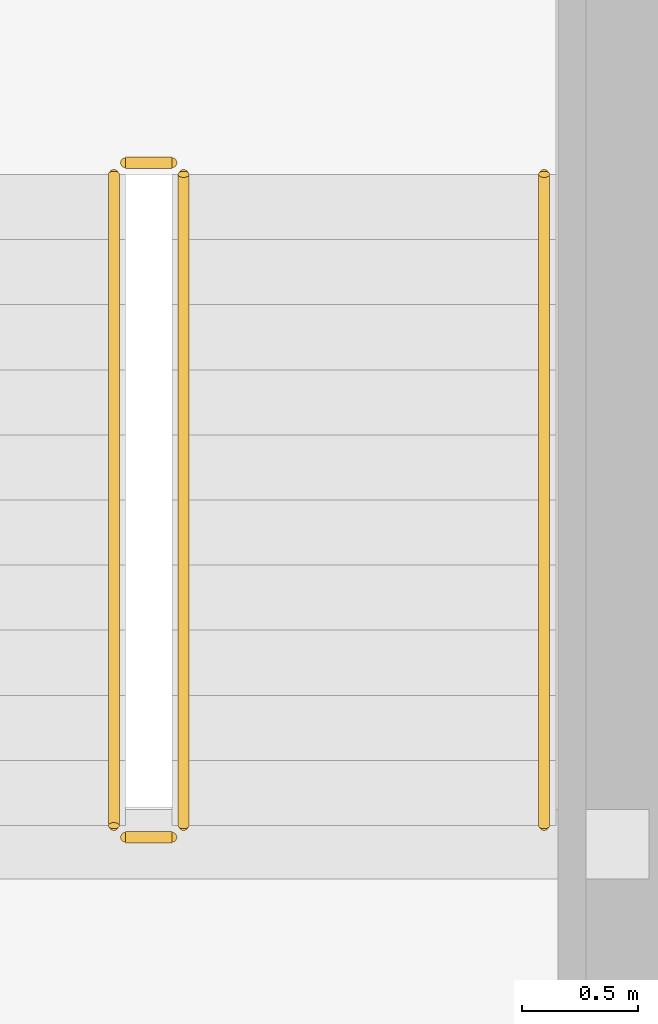
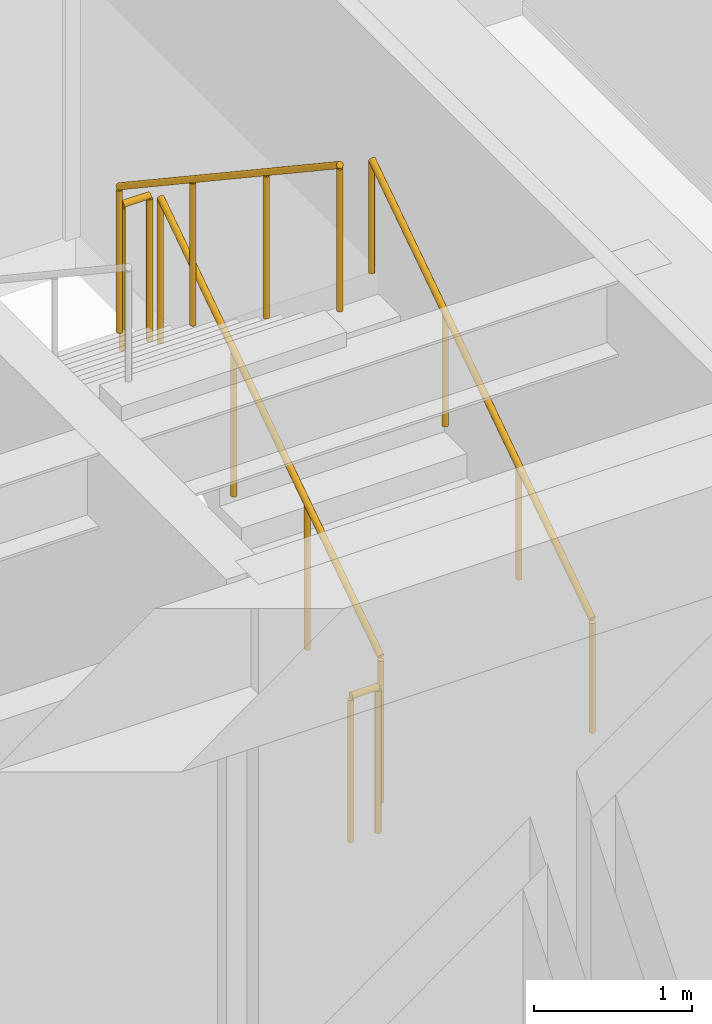
# One storey, part 35 of 36: 5 railings.
"""IFC4 building model written with IfcOpenShell, lengths in metres."""

from ifc_helpers import new_model, si_unit, direction, frame, origin, origin_2d, place, context, subcontext, project, spatial, circle, extrude, source, transform, mapped, material, type_object, type_shapes, element, save


model = new_model("IFC4")

# Units and contexts
model_context = context("Model", 3, precision=1e-05, world=origin(), true_north=direction((0.0, 1.0)))
body_context = subcontext(model_context, "Body", "Model", "MODEL_VIEW")
ifc_project = project(units=[si_unit("LENGTHUNIT", "METRE"), si_unit("AREAUNIT", "SQUARE_METRE"), si_unit("VOLUMEUNIT", "CUBIC_METRE"), si_unit("PLANEANGLEUNIT", "RADIAN"), si_unit("MASSUNIT", "GRAM", prefix="KILO")], contexts=[model_context])

# Site, building, storey
site_placement = place(None, origin())
site = spatial("IfcSite", under=ifc_project, at=site_placement, CompositionType="ELEMENT")
building_placement = place(site_placement, origin())
building = spatial("IfcBuilding", under=site, at=building_placement, Name="Haelvirn Gate Laboratories", CompositionType="ELEMENT")
storey_placement = place(building_placement, frame((0.0, 0.0, 242.39990234375)))
storey = spatial("IfcBuildingStorey", under=building, at=storey_placement, Name="L58", CompositionType="ELEMENT", Elevation=242.39990234375)

# Railings
ifc_material_1 = material(Name="Galvanised steel SM355 & stainless top rail", Category="steel")
railing_type_1 = type_object("IfcRailingType", Name="RL-GUARD-1150", PredefinedType="GUARDRAIL", material=ifc_material_1)
shared_shape_1 = source(origin(), body_context, "Body", "SweptSolid", [
    extrude(circle(Radius=0.02392578125, at=origin_2d()), frame((0.0, 0.0, 1.1259765625), z_axis=(0.0, 0.832485552168, 0.554046753832), x_axis=(-1.0, 0.0, 0.0)), (0.0, 0.0, 1.0), 3.363525390625),
    extrude(circle(Radius=0.02099609375, at=origin_2d()), origin(), (0.0, 0.0, 1.0), 1.101806640625),
    extrude(circle(Radius=0.02099609375, at=origin_2d()), frame((0.0, 0.933349609375, 0.62109375)), (0.0, 0.0, 1.0), 1.101806640625),
    extrude(circle(Radius=0.02099609375, at=origin_2d()), frame((0.0, 1.86669921875, 1.242431640625)), (0.0, 0.0, 1.0), 1.101806640625),
    extrude(circle(Radius=0.02099609375, at=origin_2d()), frame((0.0, 2.800048828125, 1.863525390625)), (0.0, 0.0, 1.0), 1.101806640625),
])
railing_1_placement = place(storey_placement, frame((65.39990234375, 26.699951171875, 0.1865234375)))
element("IfcRailing", 1, at=railing_1_placement, inside=storey, type_object=railing_type_1, Name="L58 ST2 stair guard 1", PredefinedType="GUARDRAIL", context=body_context, shape_type="MappedRepresentation", body=[
    mapped(shared_shape_1, transform((0.0, 0.0, 0.0), scale=1.0)),
])
ifc_material_2 = material(Name="Brushed stainless steel 316L", Category="steel")
railing_type_2 = type_object("IfcRailingType", Name="RL-HAND-920", PredefinedType="HANDRAIL", material=ifc_material_2)
shared_shape_2 = source(origin(), body_context, "Body", "SweptSolid", [
    extrude(circle(Radius=0.02392578125, at=origin_2d()), frame((0.0, 0.0, 0.8759765625), z_axis=(0.0, 0.832485552168, 0.554046753832), x_axis=(-1.0, 0.0, 0.0)), (0.0, 0.0, 1.0), 3.363525390625),
    extrude(circle(Radius=0.02099609375, at=origin_2d()), origin(), (0.0, 0.0, 1.0), 0.851806640625),
    extrude(circle(Radius=0.02099609375, at=origin_2d()), frame((0.0, 0.933349609375, 0.62109375)), (0.0, 0.0, 1.0), 0.851806640625),
    extrude(circle(Radius=0.02099609375, at=origin_2d()), frame((0.0, 1.86669921875, 1.242431640625)), (0.0, 0.0, 1.0), 0.851806640625),
    extrude(circle(Radius=0.02099609375, at=origin_2d()), frame((0.0, 2.800048828125, 1.863525390625)), (0.0, 0.0, 1.0), 0.851806640625),
])
type_shapes(railing_type_2, [shared_shape_2])
railing_2_placement = place(storey_placement, frame((66.949951171875, 26.699951171875, 0.1865234375)))
element("IfcRailing", 2, at=railing_2_placement, inside=storey, type_object=railing_type_2, Name="L58 ST2 stair handrail 1", PredefinedType="HANDRAIL", context=body_context, shape_type="MappedRepresentation", body=[
    mapped(shared_shape_2, transform((0.0, 0.0, 0.0), scale=1.0)),
])
shared_shape_3 = source(origin(), body_context, "Body", "SweptSolid", [
    extrude(circle(Radius=0.02392578125, at=origin_2d()), frame((0.0, 0.0, 1.1259765625), z_axis=(0.0, -0.832485552168, 0.554046753832), x_axis=(1.0, 0.0, 0.0)), (0.0, 0.0, 1.0), 3.363525390625),
    extrude(circle(Radius=0.02099609375, at=origin_2d()), origin(), (0.0, 0.0, 1.0), 1.101806640625),
    extrude(circle(Radius=0.02099609375, at=origin_2d()), frame((0.0, -0.933349609375, 0.62109375)), (0.0, 0.0, 1.0), 1.101806640625),
    extrude(circle(Radius=0.02099609375, at=origin_2d()), frame((0.0, -1.86669921875, 1.242431640625)), (0.0, 0.0, 1.0), 1.101806640625),
    extrude(circle(Radius=0.02099609375, at=origin_2d()), frame((0.0, -2.800048828125, 1.863525390625)), (0.0, 0.0, 1.0), 1.101806640625),
])
railing_3_placement = place(storey_placement, frame((65.10009765625, 29.5, 2.236572265625)))
element("IfcRailing", 3, at=railing_3_placement, inside=storey, type_object=railing_type_1, Name="L58 ST2 stair guard 3", PredefinedType="GUARDRAIL", context=body_context, shape_type="MappedRepresentation", body=[
    mapped(shared_shape_3, transform((0.0, 0.0, 0.0), scale=1.0)),
])
shared_shape_4 = source(origin(), body_context, "Body", "SweptSolid", [
    extrude(circle(Radius=0.02392578125, at=origin_2d()), frame((0.0, 0.0, 1.1259765625), z_axis=(-1.0, 0.0, 0.0), x_axis=(0.0, -1.0, 0.0)), (0.0, 0.0, 1.0), 0.2001953125),
    extrude(circle(Radius=0.02099609375, at=origin_2d()), origin(), (0.0, 0.0, 1.0), 1.101806640625),
    extrude(circle(Radius=0.02099609375, at=origin_2d()), frame((-0.2001953125, 0.0, 0.0)), (0.0, 0.0, 1.0), 1.101806640625),
])
type_shapes(railing_type_1, [shared_shape_1, shared_shape_3, shared_shape_4])
for number, where, name in (
    (4, (65.35009765625, 29.550048828125, 2.050048828125), "L58 ST2 stair guard 2"),
    (5, (65.35009765625, 26.64990234375, 0.0), "L58 ST2 stair guard 4"),
):
    element("IfcRailing", number, at=place(storey_placement, frame(where)), inside=storey, type_object=railing_type_1, Name=name, PredefinedType="GUARDRAIL", context=body_context, shape_type="MappedRepresentation", body=[
        mapped(shared_shape_4, transform((0.0, 0.0, 0.0), scale=1.0)),
    ])

save(model, "model.ifc")
